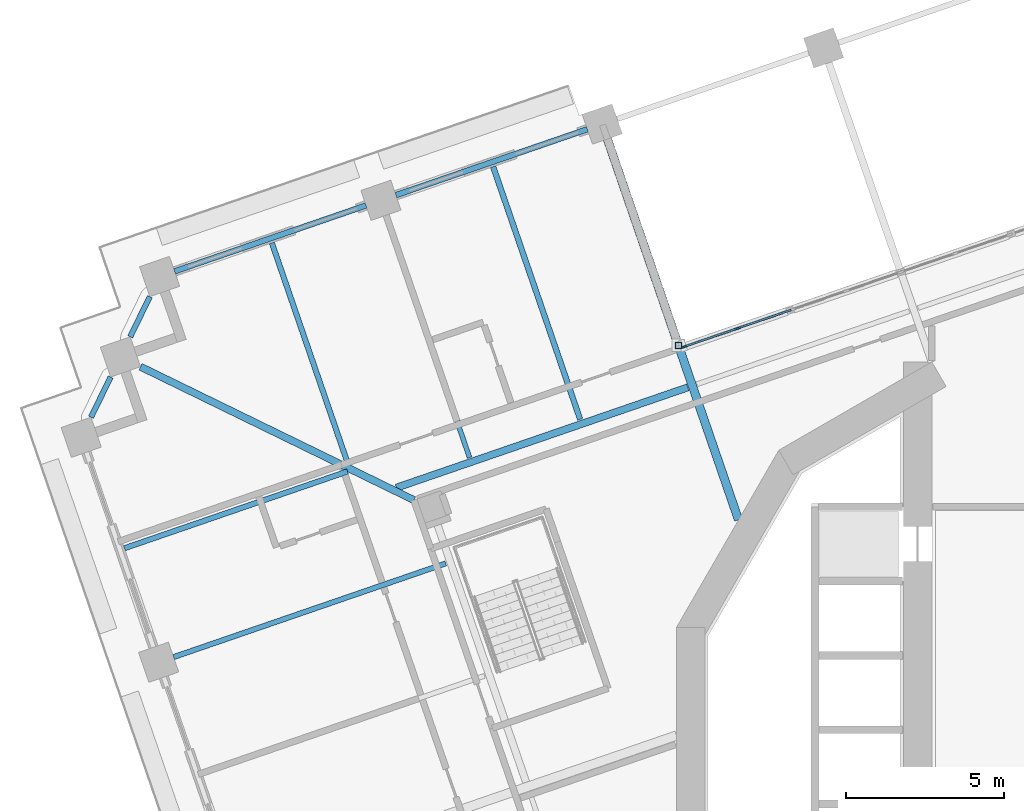
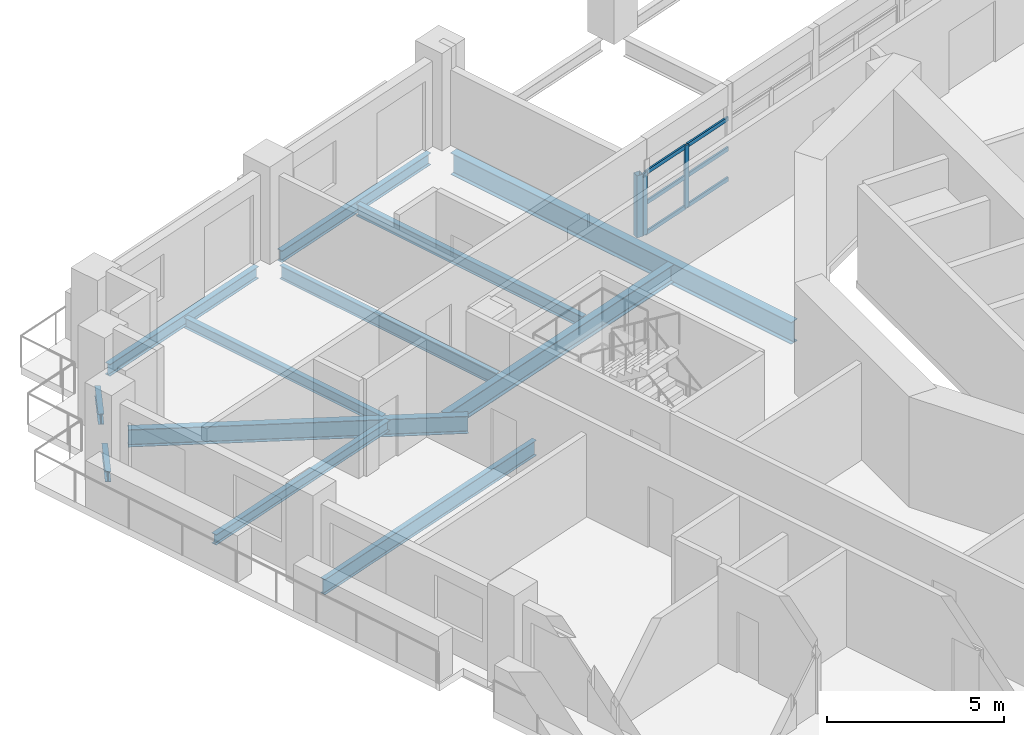
# One storey, part 2 of 22: 12 beams, 9 members, 1 element without a shape of its own.
"""IFC4 building model written with IfcOpenShell, lengths in metres."""

import ifcopenshell
import ifcopenshell.guid

model = None  # the IFC model being written
_history = None  # IfcOwnerHistory: only IFC2X3 demands one
_inside = {}  # id of a spatial element -> (the spatial element, [elements in it])
_under = {}  # id of a project, library or spatial element -> (it, [spatial elements below it])
_declared = {}  # id of a project -> (the project, [libraries it declares])
_typed = {}  # id of a type object -> (the type object, [elements of that type])
_made_of = {}  # id of a material, layer set ... -> (it, [elements and type objects made of it])


def new_model(schema):
    """Start an empty IFC model of exactly this schema.

    Asked for "IFC4X3", IfcOpenShell would pick the latest addendum, in which some entities
    have other attributes; the version numbers below select the first issue.
    IFC2X3 requires an IfcOwnerHistory on every rooted entity: one is made here for all.
    """
    global model, _history
    if schema == "IFC4X3":
        model = ifcopenshell.file(schema_version=(4, 3, 0, 0))
    else:
        model = ifcopenshell.file(schema=schema)
    _inside.clear()
    _under.clear()
    _declared.clear()
    _typed.clear()
    _made_of.clear()
    _history = None
    if model.schema == "IFC2X3":
        org = make("IfcOrganization", Name="unknown")
        user = make(
            "IfcPersonAndOrganization",
            ThePerson=make("IfcPerson", FamilyName="unknown"),
            TheOrganization=org,
        )
        app = make(
            "IfcApplication",
            ApplicationDeveloper=org,
            Version="unknown",
            ApplicationFullName="unknown",
            ApplicationIdentifier="unknown",
        )
        _history = make(
            "IfcOwnerHistory",
            OwningUser=user,
            OwningApplication=app,
            ChangeAction="ADDED",
            CreationDate=0,
        )
    return model


def make(cls, **values):
    """One entity of the class cls with the attributes given. An attribute that is None is left unset."""
    return model.create_entity(
        cls, **{name: value for name, value in values.items() if value is not None}
    )


def rooted(cls, **values):
    """An entity with a GlobalId (a new one), such as an element, a storey or a relation."""
    return make(cls, GlobalId=ifcopenshell.guid.new(), OwnerHistory=_history, **values)


def si_unit(unit_type, name, prefix=None):
    """IfcSIUnit, for example si_unit("LENGTHUNIT", "METRE", prefix="MILLI")."""
    return make("IfcSIUnit", UnitType=unit_type, Prefix=prefix, Name=name)


def assignment(units):
    """IfcUnitAssignment: the units of a project."""
    return None if units is None else make("IfcUnitAssignment", Units=units)


def point(xyz):
    """IfcCartesianPoint."""
    return None if xyz is None else make("IfcCartesianPoint", Coordinates=xyz)


def direction(xyz):
    """IfcDirection."""
    return None if xyz is None else make("IfcDirection", DirectionRatios=xyz)


def frame(location, z_axis=None, x_axis=None):
    """IfcAxis2Placement3D, a coordinate frame: its origin and axes. An axis left out is left unset."""
    return make(
        "IfcAxis2Placement3D",
        Location=point(location),
        Axis=direction(z_axis),
        RefDirection=direction(x_axis),
    )


def frame_2d(location, x_axis=None):
    """IfcAxis2Placement2D, a coordinate frame in the plane: its origin and x axis."""
    return make(
        "IfcAxis2Placement2D", Location=point(location), RefDirection=direction(x_axis)
    )


def origin():
    """The frame at (0, 0, 0) with its axes left unset."""
    return frame((0.0, 0.0, 0.0))


def origin_2d():
    """The frame at (0, 0) in the plane with its x axis left unset."""
    return frame_2d((0.0, 0.0))


def place(relative_to, where):
    """IfcLocalPlacement: puts the frame where relative to a parent placement (None: the world)."""
    return make(
        "IfcLocalPlacement", PlacementRelTo=relative_to, RelativePlacement=where
    )


def context(
    kind, dimensions, precision=None, world=None, true_north=None, identifier=None
):
    """IfcGeometricRepresentationContext, for example the 3D "Model" context."""
    return make(
        "IfcGeometricRepresentationContext",
        ContextIdentifier=identifier,
        ContextType=kind,
        CoordinateSpaceDimension=dimensions,
        Precision=precision,
        WorldCoordinateSystem=world,
        TrueNorth=true_north,
    )


def subcontext(parent, identifier, kind, view, scale=None):
    """IfcGeometricRepresentationSubContext, for example "Body" below "Model"."""
    return make(
        "IfcGeometricRepresentationSubContext",
        ContextIdentifier=identifier,
        ContextType=kind,
        ParentContext=parent,
        TargetScale=scale,
        TargetView=view,
    )


def project(units=None, contexts=None):
    """IfcProject with its units and contexts."""
    return rooted(
        "IfcProject",
        Name="project",
        RepresentationContexts=contexts,
        UnitsInContext=assignment(units),
    )


def spatial(cls, under=None, at=None, **own):
    """A site, building, storey or space (cls), placed at a placement, below another one or the project."""
    s = rooted(cls, ObjectPlacement=at, **own)
    if under is not None:
        _under.setdefault(under.id(), (under, []))[1].append(s)
    return s


def profile(cls, at=None, kind="AREA", **sizes):
    """A parametric profile (cls). Its sizes go by their IFC names, for example OverallWidth=200.0."""
    return make(cls, ProfileType=kind, Position=at, **sizes)


def rectangle(**sizes):
    """IfcRectangleProfileDef."""
    return profile("IfcRectangleProfileDef", **sizes)


def hollow_rectangle(**sizes):
    """IfcRectangleHollowProfileDef."""
    return profile("IfcRectangleHollowProfileDef", **sizes)


def i_section(**sizes):
    """IfcIShapeProfileDef."""
    return profile("IfcIShapeProfileDef", **sizes)


def extrude(swept, where, along, depth):
    """IfcExtrudedAreaSolid: the profile swept, set in the frame where, extruded along a direction by depth."""
    return make(
        "IfcExtrudedAreaSolid",
        SweptArea=swept,
        Position=where,
        ExtrudedDirection=direction(along),
        Depth=depth,
    )


def shape(context_of_items, identifier, shape_type, items):
    """IfcShapeRepresentation: the items that make up one representation, for example the "Body"."""
    return make(
        "IfcShapeRepresentation",
        ContextOfItems=context_of_items,
        RepresentationIdentifier=identifier,
        RepresentationType=shape_type,
        Items=items,
    )


def material(Name=None, Category=None):
    """IfcMaterial."""
    return make("IfcMaterial", Name=Name, Category=Category)


def material_profile(
    of_material, cross_section, Name=None, Category=None, Priority=None
):
    """IfcMaterialProfile: a cross section and its material."""
    return make(
        "IfcMaterialProfile",
        Name=Name,
        Material=of_material,
        Profile=cross_section,
        Priority=Priority,
        Category=Category,
    )


def profile_set(profiles, Name=None, composite=None):
    """IfcMaterialProfileSet."""
    return make(
        "IfcMaterialProfileSet",
        Name=Name,
        MaterialProfiles=profiles,
        CompositeProfile=composite,
    )


def made_of(thing, what):
    """Note that an element or type object is made of a material, layer set ...; save() writes the relation."""
    if what is not None:
        _made_of.setdefault(what.id(), (what, []))[1].append(thing)
    return thing


def type_object(cls, material=None, **own):
    """A type object (cls), such as IfcWallType, which elements share."""
    return made_of(rooted(cls, **own), material)


def element(
    cls,
    number,
    at=None,
    inside=None,
    cuts=None,
    type_object=None,
    material=None,
    context=None,
    identifier="Body",
    shape_type=None,
    held_by="IfcProductDefinitionShape",
    body=None,
    shapes=None,
    **own,
):
    """One element of the class cls, such as IfcWall. Its Tag is "e" and its number.

    at: its placement. inside: the storey or other place that contains it. cuts: it is an
    opening in that element (IfcRelVoidsElement). A single representation is given by context,
    identifier, shape_type and body (its items); several are given by shapes. held_by: the class
    of the entity that holds the representations. save() writes the other relations.
    """
    e = rooted(cls, Tag="e%d" % number, ObjectPlacement=at, **own)
    if body is not None:
        shapes = [shape(context, identifier, shape_type, body)]
    if shapes is not None:
        e.Representation = make(held_by, Representations=shapes)
    if inside is not None:
        _inside.setdefault(inside.id(), (inside, []))[1].append(e)
    if cuts is not None:
        rooted(
            "IfcRelVoidsElement", RelatingBuildingElement=cuts, RelatedOpeningElement=e
        )
    if type_object is not None:
        _typed.setdefault(type_object.id(), (type_object, []))[1].append(e)
    return made_of(e, material)


def aggregate(whole, parts):
    """IfcRelAggregates: a whole, such as a stair, and the parts it consists of."""
    return rooted("IfcRelAggregates", RelatingObject=whole, RelatedObjects=parts)


def save(model, path):
    """Write the relations noted so far, then the file.

    IfcRelAggregates (storeys below a building ...), IfcRelContainedInSpatialStructure (elements
    in a storey), IfcRelDefinesByType, IfcRelAssociatesMaterial and IfcRelDeclares: one each for
    every whole, place, type object, material and project.
    """
    for whole, parts in _under.values():
        aggregate(whole, parts)
    for where, things in _inside.values():
        rooted(
            "IfcRelContainedInSpatialStructure",
            RelatedElements=things,
            RelatingStructure=where,
        )
    for kind, things in _typed.values():
        rooted("IfcRelDefinesByType", RelatedObjects=things, RelatingType=kind)
    for what, things in _made_of.values():
        rooted("IfcRelAssociatesMaterial", RelatedObjects=things, RelatingMaterial=what)
    for by, libraries in _declared.values():
        rooted("IfcRelDeclares", RelatingContext=by, RelatedDefinitions=libraries)
    model.write(path)


model = new_model("IFC4")

# Units and contexts
model_context = context("Model", 3, precision=1e-05, world=origin(), true_north=direction((0.0, 1.0)))
body_context = subcontext(model_context, "Body", "Model", "MODEL_VIEW")
ifc_project = project(units=[si_unit("LENGTHUNIT", "METRE"), si_unit("AREAUNIT", "SQUARE_METRE"), si_unit("VOLUMEUNIT", "CUBIC_METRE"), si_unit("PLANEANGLEUNIT", "RADIAN"), si_unit("MASSUNIT", "GRAM", prefix="KILO")], contexts=[model_context])

# Site, building, storey
site_placement = place(None, origin())
site = spatial("IfcSite", under=ifc_project, at=site_placement, CompositionType="ELEMENT")
building_placement = place(site_placement, origin())
building = spatial("IfcBuilding", under=site, at=building_placement, Name="Cantera Rosa Tower", CompositionType="ELEMENT")
storey_placement = place(building_placement, frame((0.0, 0.0, 138.300048828125)))
storey = spatial("IfcBuildingStorey", under=building, at=storey_placement, Name="L29", CompositionType="ELEMENT", Elevation=138.300048828125)

# Curtain wall, members
ifc_material_1 = material(Name="Aluminium frame with clear glass", Category="aluminium")
curtain_wall_type = type_object("IfcCurtainWallType", Name="CW1 TERRACE POCKET GLAZING", PredefinedType="NOTDEFINED", material=ifc_material_1)
curtain_wall_placement = place(storey_placement, origin())
curtain_wall = element("IfcCurtainWall", 1, at=curtain_wall_placement, inside=storey, type_object=curtain_wall_type, Name="CW1 CW1", PredefinedType="NOTDEFINED")
ifc_material_2 = material(Name="Anodised bronze aluminium", Category="aluminium")
ifc_material_profile_1 = material_profile(ifc_material_2, rectangle(XDim=0.06005859375, YDim=0.179931640625, at=origin_2d()), Name="CW-MULLION 60x180 POCKET")
ifc_profile_set_1 = profile_set([ifc_material_profile_1], Name="Anodised bronze aluminium")
member_type_1 = type_object("IfcMemberType", Name="CW-MULLION 60x180 POCKET", PredefinedType="MULLION", material=ifc_profile_set_1)
member_1_placement = place(storey_placement, frame((-10.14013671875, 12.68994140625, 0.0), z_axis=(0.0, 0.0, 1.0), x_axis=(0.325568154441, -0.945518575605, 0.0)))
member_1 = element("IfcMember", 2, at=member_1_placement, type_object=member_type_1, Name="CW1 mullion 8", PredefinedType="MULLION", context=body_context, shape_type="SweptSolid", body=[
    extrude(rectangle(XDim=0.06005859375, YDim=0.179931640625, at=origin_2d()), origin(), (0.0, 0.0, 1.0), 2.137939453125),
])
member_2_placement = place(storey_placement, frame((-11.83154296875, 12.107666015625, 0.0), z_axis=(0.0, 0.0, 1.0), x_axis=(0.325568154441, -0.945518575605, 0.0)))
member_2 = element("IfcMember", 3, at=member_2_placement, type_object=member_type_1, Name="CW1 mullion 9", PredefinedType="MULLION", context=body_context, shape_type="SweptSolid", body=[
    extrude(rectangle(XDim=0.06005859375, YDim=0.179931640625, at=origin_2d()), origin(), (0.0, 0.0, 1.0), 2.137939453125),
])
ifc_material_3 = material(Name="Anodised bronze aluminium", Category="aluminium")
ifc_material_profile_2 = material_profile(ifc_material_3, rectangle(XDim=0.06005859375, YDim=0.139892578125, at=origin_2d()), Name="CW-TRANSOM 60x140 POCKET")
ifc_profile_set_2 = profile_set([ifc_material_profile_2], Name="Anodised bronze aluminium")
member_type_2 = type_object("IfcMemberType", Name="CW-TRANSOM 60x140 POCKET", PredefinedType="USERDEFINED", material=ifc_profile_set_2)
member_3_placement = place(storey_placement, frame((-8.448974609375, 13.2724609375, 0.030029296875), z_axis=(-0.945485041755, -0.325665527523, 0.0), x_axis=(0.325665527523, -0.945485041755, 0.0)))
member_3 = element("IfcMember", 4, at=member_3_placement, type_object=member_type_2, Name="CW1 transom 7.1", ObjectType="TRANSOM", PredefinedType="USERDEFINED", context=body_context, shape_type="SweptSolid", body=[
    extrude(rectangle(XDim=0.06005859375, YDim=0.139892578125, at=origin_2d()), origin(), (0.0, 0.0, 1.0), 1.7587890625),
])
member_4_placement = place(storey_placement, frame((-8.448974609375, 13.2724609375, 1.06884765625), z_axis=(-0.945485041755, -0.325665527523, 0.0), x_axis=(0.325665527523, -0.945485041755, 0.0)))
member_4 = element("IfcMember", 5, at=member_4_placement, type_object=member_type_2, Name="CW1 transom 7.2", ObjectType="TRANSOM", PredefinedType="USERDEFINED", context=body_context, shape_type="SweptSolid", body=[
    extrude(rectangle(XDim=0.06005859375, YDim=0.139892578125, at=origin_2d()), origin(), (0.0, 0.0, 1.0), 1.7587890625),
])
member_5_placement = place(storey_placement, frame((-8.448974609375, 13.2724609375, 2.10791015625), z_axis=(-0.945485041755, -0.325665527523, 0.0), x_axis=(0.325665527523, -0.945485041755, 0.0)))
member_5 = element("IfcMember", 6, at=member_5_placement, type_object=member_type_2, Name="CW1 transom 7.3", ObjectType="TRANSOM", PredefinedType="USERDEFINED", context=body_context, shape_type="SweptSolid", body=[
    extrude(rectangle(XDim=0.06005859375, YDim=0.139892578125, at=origin_2d()), origin(), (0.0, 0.0, 1.0), 1.7587890625),
])
member_6_placement = place(storey_placement, frame((-10.16845703125, 12.68017578125, 0.030029296875), z_axis=(-0.945545423079, -0.325490173267, 0.0), x_axis=(0.325490173267, -0.945545423079, 0.0)))
member_6 = element("IfcMember", 7, at=member_6_placement, type_object=member_type_2, Name="CW1 transom 8.1", ObjectType="TRANSOM", PredefinedType="USERDEFINED", context=body_context, shape_type="SweptSolid", body=[
    extrude(rectangle(XDim=0.06005859375, YDim=0.139892578125, at=origin_2d()), origin(), (0.0, 0.0, 1.0), 1.72900390625),
])
member_7_placement = place(storey_placement, frame((-10.16845703125, 12.68017578125, 1.06884765625), z_axis=(-0.945545423079, -0.325490173267, 0.0), x_axis=(0.325490173267, -0.945545423079, 0.0)))
member_7 = element("IfcMember", 8, at=member_7_placement, type_object=member_type_2, Name="CW1 transom 8.2", ObjectType="TRANSOM", PredefinedType="USERDEFINED", context=body_context, shape_type="SweptSolid", body=[
    extrude(rectangle(XDim=0.06005859375, YDim=0.139892578125, at=origin_2d()), origin(), (0.0, 0.0, 1.0), 1.72900390625),
])
member_8_placement = place(storey_placement, frame((-10.16845703125, 12.68017578125, 2.10791015625), z_axis=(-0.945545423079, -0.325490173267, 0.0), x_axis=(0.325490173267, -0.945545423079, 0.0)))
member_8 = element("IfcMember", 9, at=member_8_placement, type_object=member_type_2, Name="CW1 transom 8.3", ObjectType="TRANSOM", PredefinedType="USERDEFINED", context=body_context, shape_type="SweptSolid", body=[
    extrude(rectangle(XDim=0.06005859375, YDim=0.139892578125, at=origin_2d()), origin(), (0.0, 0.0, 1.0), 1.72900390625),
])
aggregate(curtain_wall, [member_1, member_2, member_3, member_4, member_5, member_6, member_7, member_8])

# Member
ifc_material_4 = material(Name="Steel ASTM A992 (Fy 345 MPa)", Category="steel")
ifc_material_profile_3 = material_profile(ifc_material_4, hollow_rectangle(XDim=0.199951171875, YDim=0.199951171875, WallThickness=0.010009765625, at=origin_2d()), Name="LINTEL POST RHS 200x200x10")
ifc_profile_set_3 = profile_set([ifc_material_profile_3], Name="Steel ASTM A992 (Fy 345 MPa)")
member_type_3 = type_object("IfcMemberType", Name="LINTEL POST RHS 200x200x10", PredefinedType="USERDEFINED", material=ifc_profile_set_3)
member_9_placement = place(storey_placement, frame((-12.010498046875, 12.15185546875, 0.0), z_axis=(0.0, 0.0, 1.0), x_axis=(1.0, 0.0, 0.0)))
element("IfcMember", 10, at=member_9_placement, inside=storey, type_object=member_type_3, Name="LINTEL POST L29-2", ObjectType="LINTEL POST", PredefinedType="USERDEFINED", context=body_context, shape_type="SweptSolid", body=[
    extrude(hollow_rectangle(XDim=0.199951171875, YDim=0.199951171875, WallThickness=0.010009765625, at=origin_2d()), origin(), (0.0, 0.0, 1.0), 2.139892578125),
])

# Beams
ifc_material_5 = material(Name="Steel ASTM A992 (Fy 345 MPa)", Category="steel")
ifc_material_profile_4 = material_profile(ifc_material_5, i_section(OverallWidth=0.154052734375, OverallDepth=0.4599609375, WebThickness=0.009033203125, FlangeThickness=0.015380859375, FilletRadius=0.01025390625, at=origin_2d()), Name="W460X68")
ifc_profile_set_4 = profile_set([ifc_material_profile_4], Name="Steel ASTM A992 (Fy 345 MPa)")
beam_type_1 = type_object("IfcBeamType", Name="STEEL BEAM W460X68", PredefinedType="BEAM", material=ifc_profile_set_4)
beam_1_placement = place(storey_placement, frame((-21.25390625, 16.2666015625, -0.47998046875), z_axis=(0.325580085327, -0.945514467387, 0.0), x_axis=(0.945514467387, 0.325580085327, 0.0)))
element("IfcBeam", 11, at=beam_1_placement, inside=storey, type_object=beam_type_1, Name="G-Z2-09 L29", PredefinedType="BEAM", context=body_context, shape_type="SweptSolid", body=[
    extrude(i_section(OverallWidth=0.154052734375, OverallDepth=0.4599609375, WebThickness=0.009033203125, FlangeThickness=0.015380859375, FilletRadius=0.01025390625, at=origin_2d()), origin(), (0.0, 0.0, 1.0), 8.10009765625),
])
ifc_material_6 = material(Name="Steel ASTM A992 (Fy 345 MPa)", Category="steel")
ifc_material_profile_5 = material_profile(ifc_material_6, i_section(OverallWidth=0.166015625, OverallDepth=0.528076171875, WebThickness=0.009765625, FlangeThickness=0.013671875, FilletRadius=0.0126953125, at=origin_2d()), Name="W530X74")
ifc_profile_set_5 = profile_set([ifc_material_profile_5], Name="Steel ASTM A992 (Fy 345 MPa)")
beam_type_2 = type_object("IfcBeamType", Name="STEEL BEAM W530X74", PredefinedType="BEAM", material=ifc_profile_set_5)
beam_2_placement = place(storey_placement, frame((-27.97216796875, 2.29833984375, -0.51416015625), z_axis=(0.94551971591, 0.325564842737, 0.0), x_axis=(-0.325564842737, 0.94551971591, 0.0)))
element("IfcBeam", 12, at=beam_2_placement, inside=storey, type_object=beam_type_2, Name="G-Z2-15 L29", PredefinedType="BEAM", context=body_context, shape_type="SweptSolid", body=[
    extrude(i_section(OverallWidth=0.166015625, OverallDepth=0.528076171875, WebThickness=0.009765625, FlangeThickness=0.013671875, FilletRadius=0.0126953125, at=origin_2d()), origin(), (0.0, 0.0, 1.0), 9.10009765625),
])
ifc_material_7 = material(Name="Steel ASTM A992 (Fy 345 MPa)", Category="steel")
ifc_material_profile_6 = material_profile(ifc_material_7, i_section(OverallWidth=0.22802734375, OverallDepth=0.60205078125, WebThickness=0.010498046875, FlangeThickness=0.014892578125, FilletRadius=0.0126953125, at=origin_2d()), Name="W610X101")
ifc_profile_set_6 = profile_set([ifc_material_profile_6], Name="Steel ASTM A992 (Fy 345 MPa)")
beam_type_3 = type_object("IfcBeamType", Name="STEEL BEAM W610X101", PredefinedType="BEAM", material=ifc_profile_set_6)
beam_3_placement = place(storey_placement, frame((-29.017822265625, 11.47802734375, -0.551025390625), z_axis=(0.898796015179, -0.438367109965, 0.0), x_axis=(0.438367109965, 0.898796015179, 0.0)))
element("IfcBeam", 13, at=beam_3_placement, inside=storey, type_object=beam_type_3, Name="CB-Z2-02 L29", PredefinedType="BEAM", context=body_context, shape_type="SweptSolid", body=[
    extrude(i_section(OverallWidth=0.22802734375, OverallDepth=0.60205078125, WebThickness=0.010498046875, FlangeThickness=0.014892578125, FilletRadius=0.0126953125, at=origin_2d()), origin(), (0.0, 0.0, 1.0), 9.616455078125),
])
ifc_material_8 = material(Name="Steel ASTM A992 (Fy 345 MPa)", Category="steel")
ifc_material_profile_7 = material_profile(ifc_material_8, i_section(OverallWidth=0.22900390625, OverallDepth=0.612060546875, WebThickness=0.011962890625, FlangeThickness=0.01953125, FilletRadius=0.0126953125, at=origin_2d()), Name="W610X125")
ifc_profile_set_7 = profile_set([ifc_material_profile_7], Name="Steel ASTM A992 (Fy 345 MPa)")
beam_type_4 = type_object("IfcBeamType", Name="STEEL BEAM W610X125", PredefinedType="BEAM", material=ifc_profile_set_7)
beam_4_placement = place(storey_placement, frame((-20.931640625, 7.652099609375, -0.55615234375), z_axis=(0.945517116269, 0.32557239263, 0.0), x_axis=(-0.32557239263, 0.945517116269, 0.0)))
element("IfcBeam", 14, at=beam_4_placement, inside=storey, type_object=beam_type_4, Name="RB-Z2-01 L29", PredefinedType="BEAM", context=body_context, shape_type="SweptSolid", body=[
    extrude(i_section(OverallWidth=0.22900390625, OverallDepth=0.612060546875, WebThickness=0.011962890625, FlangeThickness=0.01953125, FilletRadius=0.0126953125, at=origin_2d()), origin(), (0.0, 0.0, 1.0), 9.75),
])
ifc_material_9 = material(Name="Steel ASTM A992 (Fy 345 MPa)", Category="steel")
ifc_material_profile_8 = material_profile(ifc_material_9, i_section(OverallWidth=0.26708984375, OverallDepth=0.75390625, WebThickness=0.01318359375, FlangeThickness=0.01708984375, FilletRadius=0.0166015625, at=origin_2d()), Name="W760X147")
ifc_profile_set_8 = profile_set([ifc_material_profile_8], Name="Steel ASTM A992 (Fy 345 MPa)")
beam_type_5 = type_object("IfcBeamType", Name="STEEL BEAM W760X147", PredefinedType="BEAM", material=ifc_profile_set_8)
beam_5_placement = place(storey_placement, frame((-14.257080078125, 18.67578125, -0.626953125), z_axis=(0.325575880476, -0.945515915282, 0.0), x_axis=(0.945515915282, 0.325575880476, 0.0)))
element("IfcBeam", 15, at=beam_5_placement, inside=storey, type_object=beam_type_5, Name="G-Z2-08 L29", PredefinedType="BEAM", context=body_context, shape_type="SweptSolid", body=[
    extrude(i_section(OverallWidth=0.26708984375, OverallDepth=0.75390625, WebThickness=0.01318359375, FlangeThickness=0.01708984375, FilletRadius=0.0166015625, at=origin_2d()), origin(), (0.0, 0.0, 1.0), 12.734375),
])
ifc_material_10 = material(Name="Steel ASTM A992 (Fy 345 MPa)", Category="steel")
ifc_material_profile_9 = material_profile(ifc_material_10, i_section(OverallWidth=0.1708984375, OverallDepth=0.35595703125, WebThickness=0.00732421875, FlangeThickness=0.01171875, FilletRadius=0.010009765625, at=origin_2d()), Name="W360X51")
ifc_profile_set_9 = profile_set([ifc_material_profile_9], Name="Steel ASTM A992 (Fy 345 MPa)")
beam_type_6 = type_object("IfcBeamType", Name="STEEL JOIST W360X51", PredefinedType="JOIST", material=ifc_profile_set_9)
beam_6_placement = place(storey_placement, frame((-24.8662109375, 15.39306640625, -0.427978515625), z_axis=(0.325565645331, -0.945519439557, 0.0), x_axis=(0.945519439557, 0.325565645331, 0.0)))
element("IfcBeam", 16, at=beam_6_placement, inside=storey, type_object=beam_type_6, Name="B-Z2-11 L29", PredefinedType="JOIST", context=body_context, shape_type="SweptSolid", body=[
    extrude(i_section(OverallWidth=0.1708984375, OverallDepth=0.35595703125, WebThickness=0.00732421875, FlangeThickness=0.01171875, FilletRadius=0.010009765625, at=origin_2d()), origin(), (0.0, 0.0, 1.0), 7.39990234375),
])
beam_7_placement = place(storey_placement, frame((-29.52734375, 5.739501953125, -0.427978515625), z_axis=(0.945521732807, 0.325558985116, 0.0), x_axis=(-0.325558985116, 0.945521732807, 0.0)))
element("IfcBeam", 17, at=beam_7_placement, inside=storey, type_object=beam_type_6, Name="B-Z2-18 L29", PredefinedType="JOIST", context=body_context, shape_type="SweptSolid", body=[
    extrude(i_section(OverallWidth=0.1708984375, OverallDepth=0.35595703125, WebThickness=0.00732421875, FlangeThickness=0.01171875, FilletRadius=0.010009765625, at=origin_2d()), origin(), (0.0, 0.0, 1.0), 7.460205078125),
])
ifc_material_11 = material(Name="Steel ASTM A992 (Fy 345 MPa)", Category="steel")
ifc_material_profile_10 = material_profile(ifc_material_11, i_section(OverallWidth=0.177978515625, OverallDepth=0.406005859375, WebThickness=0.0078125, FlangeThickness=0.0126953125, FilletRadius=0.01025390625, at=origin_2d()), Name="W410X60")
ifc_profile_set_10 = profile_set([ifc_material_profile_10], Name="Steel ASTM A992 (Fy 345 MPa)")
beam_type_7 = type_object("IfcBeamType", Name="STEEL JOIST W410X60", PredefinedType="JOIST", material=ifc_profile_set_10)
beam_8_placement = place(storey_placement, frame((-17.869384765625, 17.80224609375, -0.453125), z_axis=(0.325556131421, -0.945522715377, 0.0), x_axis=(0.945522715377, 0.325556131421, 0.0)))
element("IfcBeam", 18, at=beam_8_placement, inside=storey, type_object=beam_type_7, Name="B-Z2-10 L29", PredefinedType="JOIST", context=body_context, shape_type="SweptSolid", body=[
    extrude(i_section(OverallWidth=0.177978515625, OverallDepth=0.406005859375, WebThickness=0.0078125, FlangeThickness=0.0126953125, FilletRadius=0.01025390625, at=origin_2d()), origin(), (0.0, 0.0, 1.0), 8.4501953125),
])
ifc_material_12 = material(Name="Steel ASTM A992 (Fy 345 MPa)", Category="steel")
ifc_material_profile_11 = material_profile(ifc_material_12, i_section(OverallWidth=0.1708984375, OverallDepth=0.35595703125, WebThickness=0.00732421875, FlangeThickness=0.01171875, FilletRadius=0.010009765625, at=origin_2d()), Name="W360X51")
ifc_profile_set_11 = profile_set([ifc_material_profile_11], Name="Steel ASTM A992 (Fy 345 MPa)")
beam_type_8 = type_object("IfcBeamType", Name="STEEL SPANDREL BEAM W360X51", PredefinedType="SPANDREL", material=ifc_profile_set_11)
for number, where, z_axis, x_axis, name in (
    (19, (-28.723388671875, 13.694580078125, -0.427978515625), (-0.438491655897, -0.898735260079, 0.0), (0.898735260079, -0.438491655897, 0.0), "EB-Z2-14 L29"),
    (20, (-29.96337890625, 11.152587890625, -0.427978515625), (-0.438284186308, -0.898836454552, 0.0), (0.898836454552, -0.438284186308, 0.0), "EB-Z2-15 L29"),
):
    element("IfcBeam", number, at=place(storey_placement, frame(where, z_axis=z_axis, x_axis=x_axis)), inside=storey, type_object=beam_type_8, Name=name, PredefinedType="SPANDREL", context=body_context, shape_type="SweptSolid", body=[
        extrude(i_section(OverallWidth=0.1708984375, OverallDepth=0.35595703125, WebThickness=0.00732421875, FlangeThickness=0.01171875, FilletRadius=0.010009765625, at=origin_2d()), origin(), (0.0, 0.0, 1.0), 1.414306640625),
    ])
ifc_material_13 = material(Name="Steel ASTM A992 (Fy 345 MPa)", Category="steel")
ifc_material_profile_12 = material_profile(ifc_material_13, i_section(OverallWidth=0.177978515625, OverallDepth=0.406005859375, WebThickness=0.0078125, FlangeThickness=0.0126953125, FilletRadius=0.01025390625, at=origin_2d()), Name="W410X60")
ifc_profile_set_12 = profile_set([ifc_material_profile_12], Name="Steel ASTM A992 (Fy 345 MPa)")
beam_type_9 = type_object("IfcBeamType", Name="STEEL SPANDREL BEAM W410X60", PredefinedType="SPANDREL", material=ifc_profile_set_12)
for number, where, z_axis, x_axis, name in (
    (21, (-14.892578125, 18.98583984375, -0.453125), (-0.945512753621, -0.325585062219, 0.0), (0.325585062219, -0.945512753621, 0.0), "EB-Z2-12 L29"),
    (22, (-21.889404296875, 16.57666015625, -0.453125), (-0.945512753621, -0.325585062219, 0.0), (0.325585062219, -0.945512753621, 0.0), "EB-Z2-13 L29"),
):
    element("IfcBeam", number, at=place(storey_placement, frame(where, z_axis=z_axis, x_axis=x_axis)), inside=storey, type_object=beam_type_9, Name=name, PredefinedType="SPANDREL", context=body_context, shape_type="SweptSolid", body=[
        extrude(i_section(OverallWidth=0.177978515625, OverallDepth=0.406005859375, WebThickness=0.0078125, FlangeThickness=0.0126953125, FilletRadius=0.01025390625, at=origin_2d()), origin(), (0.0, 0.0, 1.0), 6.39990234375),
    ])

save(model, "model.ifc")
